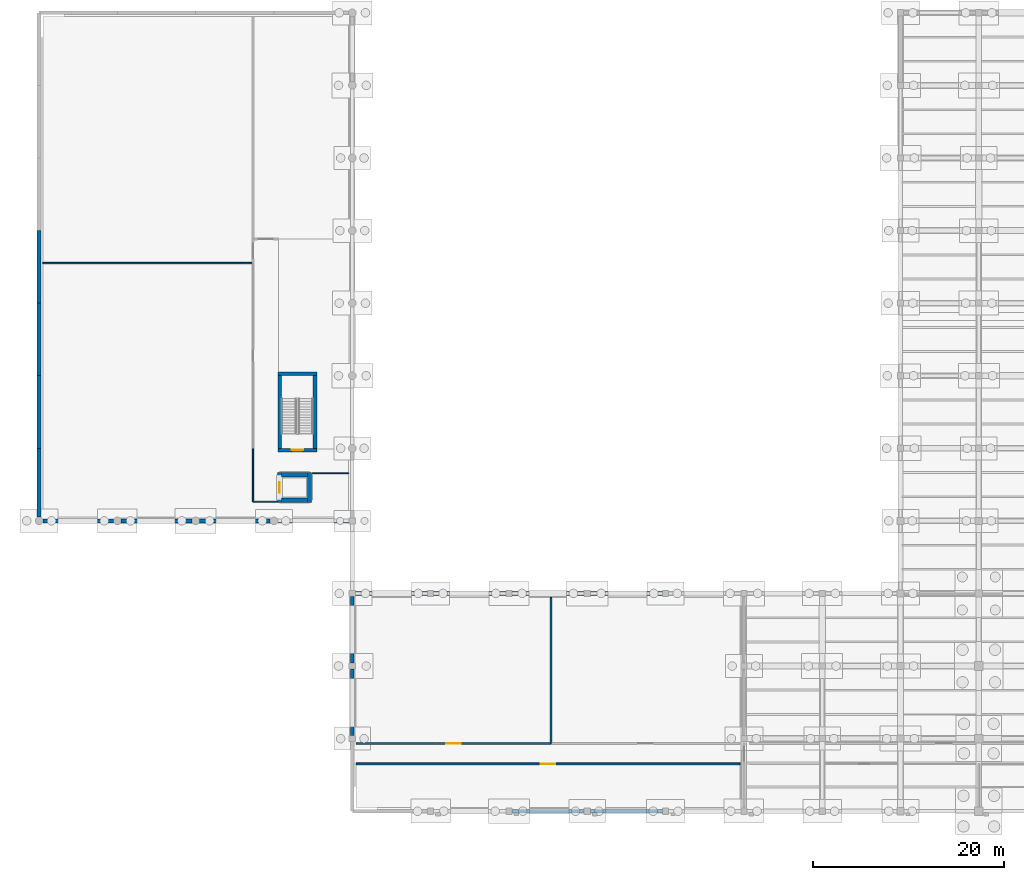
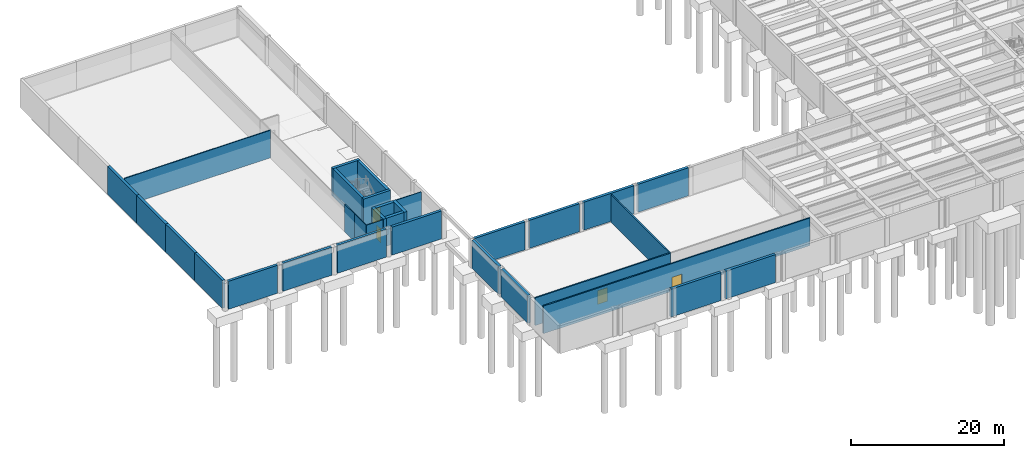
# One storey, part 16 of 29: 32 walls, 4 doors, 4 openings.
"""IFC4 building model written with IfcOpenShell, lengths in metres."""

from ifc_helpers import new_model, si_unit, direction, frame, frame_2d, origin, place, context, subcontext, project, spatial, rectangle, extrude, material, layer, layer_set, type_object, element, fill, save


model = new_model("IFC4")

# Units and contexts
model_context = context("Model", 3, precision=1e-05, world=origin(), true_north=direction((0.0, 1.0)))
body_context = subcontext(model_context, "Body", "Model", "MODEL_VIEW")
ifc_project = project(units=[si_unit("LENGTHUNIT", "METRE"), si_unit("AREAUNIT", "SQUARE_METRE"), si_unit("VOLUMEUNIT", "CUBIC_METRE"), si_unit("PLANEANGLEUNIT", "RADIAN"), si_unit("MASSUNIT", "GRAM", prefix="KILO")], contexts=[model_context])

# Site, building, storey
site_placement = place(None, origin())
site = spatial("IfcSite", under=ifc_project, at=site_placement, CompositionType="ELEMENT")
building_placement = place(site_placement, origin())
building = spatial("IfcBuilding", under=site, at=building_placement, Name="Qandaris Square Conservatory and Botanical Centre", CompositionType="ELEMENT")
storey_placement = place(building_placement, frame((0.0, 0.0, -4.800048828125)))
storey = spatial("IfcBuildingStorey", under=building, at=storey_placement, Name="B1", CompositionType="ELEMENT", Elevation=-4.800048828125)

# Walls
ifc_material_1 = material(Name="Gypsum Plasterboard", Category="gypsum")
ifc_layer_1 = layer(ifc_material_1, 0.14990234375)
ifc_layer_set_1 = layer_set([ifc_layer_1], Name="Gypsum Plasterboard")
wall_type_1 = type_object("IfcWallType", Name="Acoustic Laboratory Partition 150mm", PredefinedType="PARTITIONING", material=ifc_layer_set_1)
wall_1_placement = place(storey_placement, frame((24.800048828125, 74.0, 0.0), z_axis=(0.0, 0.0, 1.0), x_axis=(1.0, 0.0, 0.0)))
element("IfcWall", 1, at=wall_1_placement, inside=storey, type_object=wall_type_1, Name="Interior Partition IW-B1-0036", PredefinedType="PARTITIONING", context=body_context, shape_type="SweptSolid", body=[
    extrude(rectangle(XDim=22.0, YDim=0.14990234375, at=frame_2d((11.0, 0.0))), origin(), (0.0, 0.0, 1.0), 4.405029296875),
])
ifc_material_2 = material(Name="Concrete C50/60", Category="concrete")
ifc_layer_2 = layer(ifc_material_2, 0.39990234375)
ifc_layer_set_2 = layer_set([ifc_layer_2], Name="Concrete C50/60")
wall_type_2 = type_object("IfcWallType", Name="Basement Waterproof RC Retaining Wall 400mm", PredefinedType="SOLIDWALL", material=ifc_layer_set_2)
wall_2_placement = place(storey_placement, frame((57.199951171875, 24.52490234375, 0.0), z_axis=(0.0, 0.0, 1.0), x_axis=(0.0, 1.0, 0.0)))
element("IfcWall", 2, at=wall_2_placement, inside=storey, type_object=wall_type_2, Name="Basement Retaining Wall 002", PredefinedType="SOLIDWALL", context=body_context, shape_type="SweptSolid", body=[
    extrude(rectangle(XDim=6.9501953125, YDim=0.39990234375, at=frame_2d((3.47509765625, 0.0))), origin(), (0.0, 0.0, 1.0), 4.4599609375),
])
wall_3_placement = place(storey_placement, frame((57.199951171875, 32.125, 0.0), z_axis=(0.0, 0.0, 1.0), x_axis=(0.0, 1.0, 0.0)))
element("IfcWall", 3, at=wall_3_placement, inside=storey, type_object=wall_type_2, Name="Basement Retaining Wall 003", PredefinedType="SOLIDWALL", context=body_context, shape_type="SweptSolid", body=[
    extrude(rectangle(XDim=6.949951171875, YDim=0.39990234375, at=frame_2d((3.47509765625, 0.0))), origin(), (0.0, 0.0, 1.0), 4.4599609375),
])
wall_4_placement = place(storey_placement, frame((57.52490234375, 39.39990234375, 0.0), z_axis=(0.0, 0.0, 1.0), x_axis=(1.0, 0.0, 0.0)))
element("IfcWall", 4, at=wall_4_placement, inside=storey, type_object=wall_type_2, Name="Basement Retaining Wall 004", PredefinedType="SOLIDWALL", context=body_context, shape_type="SweptSolid", body=[
    extrude(rectangle(XDim=7.550048828125, YDim=0.39990234375, at=frame_2d((3.77490234375, 0.0))), origin(), (0.0, 0.0, 1.0), 4.4599609375),
])
wall_5_placement = place(storey_placement, frame((65.72509765625, 39.39990234375, 0.0), z_axis=(0.0, 0.0, 1.0), x_axis=(1.0, 0.0, 0.0)))
element("IfcWall", 5, at=wall_5_placement, inside=storey, type_object=wall_type_2, Name="Basement Retaining Wall 005", PredefinedType="SOLIDWALL", context=body_context, shape_type="SweptSolid", body=[
    extrude(rectangle(XDim=7.5498046875, YDim=0.39990234375, at=frame_2d((3.77490234375, 0.0))), origin(), (0.0, 0.0, 1.0), 4.4599609375),
])
for number, where, z_axis, x_axis, name in (
    (6, (73.925048828125, 39.39990234375, 0.0), (0.0, 0.0, 1.0), (1.0, 0.0, 0.0), "Basement Retaining Wall 006"),
    (7, (82.125, 39.39990234375, 0.0), (0.0, 0.0, 1.0), (1.0, 0.0, 0.0), "Basement Retaining Wall 007"),
    (8, (73.925048828125, 16.60009765625, 0.0), (0.0, 0.0, 1.0), (1.0, 0.0, 0.0), "Basement Retaining Wall 046"),
    (9, (82.125, 16.60009765625, 0.0), (0.0, 0.0, 1.0), (1.0, 0.0, 0.0), "Basement Retaining Wall 047"),
):
    element("IfcWall", number, at=place(storey_placement, frame(where, z_axis=z_axis, x_axis=x_axis)), inside=storey, type_object=wall_type_2, Name=name, PredefinedType="SOLIDWALL", context=body_context, shape_type="SweptSolid", body=[
        extrude(rectangle(XDim=7.550048828125, YDim=0.39990234375, at=frame_2d((3.77490234375, 0.0))), origin(), (0.0, 0.0, 1.0), 4.4599609375),
    ])
for number, where, z_axis, x_axis, name in (
    (10, (24.800048828125, 47.0, 0.0), (0.0, 0.0, 1.0), (1.0, 0.0, 0.0), "Basement Retaining Wall 060"),
    (11, (33.0, 47.0, 0.0), (0.0, 0.0, 1.0), (1.0, 0.0, 0.0), "Basement Retaining Wall 061"),
):
    element("IfcWall", number, at=place(storey_placement, frame(where, z_axis=z_axis, x_axis=x_axis)), inside=storey, type_object=wall_type_2, Name=name, PredefinedType="SOLIDWALL", context=body_context, shape_type="SweptSolid", body=[
        extrude(rectangle(XDim=7.39990234375, YDim=0.39990234375, at=frame_2d((3.699951171875, 0.0))), origin(), (0.0, 0.0, 1.0), 4.4599609375),
    ])
wall_6_placement = place(storey_placement, frame((41.199951171875, 47.0, 0.0), z_axis=(0.0, 0.0, 1.0), x_axis=(1.0, 0.0, 0.0)))
element("IfcWall", 12, at=wall_6_placement, inside=storey, type_object=wall_type_2, Name="Basement Retaining Wall 062", PredefinedType="SOLIDWALL", context=body_context, shape_type="SweptSolid", body=[
    extrude(rectangle(XDim=7.400146484375, YDim=0.39990234375, at=frame_2d((3.7001953125, 0.0))), origin(), (0.0, 0.0, 1.0), 4.4599609375),
])
wall_7_placement = place(storey_placement, frame((49.39990234375, 47.0, 0.0), z_axis=(0.0, 0.0, 1.0), x_axis=(1.0, 0.0, 0.0)))
element("IfcWall", 13, at=wall_7_placement, inside=storey, type_object=wall_type_2, Name="Basement Retaining Wall 063", PredefinedType="SOLIDWALL", context=body_context, shape_type="SweptSolid", body=[
    extrude(rectangle(XDim=7.47509765625, YDim=0.39990234375, at=frame_2d((3.737548828125, 0.0))), origin(), (0.0, 0.0, 1.0), 4.4599609375),
])
wall_8_placement = place(storey_placement, frame((24.39990234375, 47.39990234375, 0.0), z_axis=(0.0, 0.0, 1.0), x_axis=(0.0, 1.0, 0.0)))
element("IfcWall", 14, at=wall_8_placement, inside=storey, type_object=wall_type_2, Name="Basement Retaining Wall 064", PredefinedType="SOLIDWALL", context=body_context, shape_type="SweptSolid", body=[
    extrude(rectangle(XDim=7.2001953125, YDim=0.39990234375, at=frame_2d((3.60009765625, 0.0))), origin(), (0.0, 0.0, 1.0), 4.4599609375),
])
wall_9_placement = place(storey_placement, frame((24.39990234375, 54.60009765625, 0.0), z_axis=(0.0, 0.0, 1.0), x_axis=(0.0, 1.0, 0.0)))
element("IfcWall", 15, at=wall_9_placement, inside=storey, type_object=wall_type_2, Name="Basement Retaining Wall 065", PredefinedType="SOLIDWALL", context=body_context, shape_type="SweptSolid", body=[
    extrude(rectangle(XDim=7.599853515625, YDim=0.39990234375, at=frame_2d((3.7998046875, 0.0))), origin(), (0.0, 0.0, 1.0), 4.4599609375),
])
wall_10_placement = place(storey_placement, frame((24.39990234375, 62.199951171875, 0.0), z_axis=(0.0, 0.0, 1.0), x_axis=(0.0, 1.0, 0.0)))
element("IfcWall", 16, at=wall_10_placement, inside=storey, type_object=wall_type_2, Name="Basement Retaining Wall 066", PredefinedType="SOLIDWALL", context=body_context, shape_type="SweptSolid", body=[
    extrude(rectangle(XDim=7.60009765625, YDim=0.39990234375, at=frame_2d((3.800048828125, 0.0))), origin(), (0.0, 0.0, 1.0), 4.4599609375),
])
wall_11_placement = place(storey_placement, frame((24.39990234375, 69.800048828125, 0.0), z_axis=(0.0, 0.0, 1.0), x_axis=(0.0, 1.0, 0.0)))
element("IfcWall", 17, at=wall_11_placement, inside=storey, type_object=wall_type_2, Name="Basement Retaining Wall 067", PredefinedType="SOLIDWALL", context=body_context, shape_type="SweptSolid", body=[
    extrude(rectangle(XDim=7.599853515625, YDim=0.39990234375, at=frame_2d((3.7998046875, 0.0))), origin(), (0.0, 0.0, 1.0), 4.4599609375),
])

# Wall, opening, door
ifc_material_3 = material(Name="Concrete C40/50", Category="concrete")
ifc_layer_3 = layer(ifc_material_3, 0.199951171875)
ifc_layer_set_3 = layer_set([ifc_layer_3], Name="Concrete C40/50")
wall_type_3 = type_object("IfcWallType", Name="Herbarium & Plant Compartment Wall 200mm", PredefinedType="PARTITIONING", material=ifc_layer_set_3)
wall_12_placement = place(storey_placement, frame((57.60009765625, 23.699951171875, 0.0), z_axis=(0.0, 0.0, 1.0), x_axis=(1.0, 0.0, 0.0)))
wall_12 = element("IfcWall", 18, at=wall_12_placement, inside=storey, type_object=wall_type_3, Name="Interior Partition IW-B1-0038", PredefinedType="PARTITIONING", context=body_context, shape_type="SweptSolid", body=[
    extrude(rectangle(XDim=20.39990234375, YDim=0.199951171875, at=frame_2d((10.199951171875, 0.0))), origin(), (0.0, 0.0, 1.0), 4.405029296875),
])
opening_1_placement = place(wall_12_placement, frame((9.449951171875, 0.0, 0.0)))
opening_1 = element("IfcOpeningElement", 19, at=opening_1_placement, cuts=wall_12, Name="Opening D-PLT1", PredefinedType="OPENING", context=body_context, shape_type="SweptSolid", body=[
    extrude(rectangle(XDim=1.5, YDim=2.199951171875, at=frame_2d((0.75, 1.10009765625))), frame((0.0, 0.11181640625, 0.0), z_axis=(0.0, -1.0, 0.0), x_axis=(1.0, 0.0, 0.0)), (0.0, 0.0, 1.0), 0.223876953125),
])
ifc_material_4 = material(Name="Steel S355", Category="steel")
door_type_1 = type_object("IfcDoorType", Name="Plant & Riser Double Fire Door 1500x2200", OperationType="DOUBLE_DOOR_SINGLE_SWING", PredefinedType="DOOR", material=ifc_material_4)
door_1_placement = place(opening_1_placement, origin())
door_1 = element("IfcDoor", 20, at=door_1_placement, inside=storey, type_object=door_type_1, Name="DR-0015 Auditorium Understage Plenum and Traproom Door", OperationType="DOUBLE_DOOR_SINGLE_SWING", OverallHeight=2.199951171875, OverallWidth=1.5, PredefinedType="DOOR", context=body_context, shape_type="SweptSolid", body=[
    extrude(rectangle(XDim=1.5, YDim=2.199951171875, at=frame_2d((0.75, 1.10009765625))), frame((0.0, 0.02490234375, 0.0), z_axis=(0.0, -1.0, 0.0), x_axis=(1.0, 0.0, 0.0)), (0.0, 0.0, 1.0), 0.050048828125),
])
fill(opening_1, door_1)

wall_13_placement = place(storey_placement, frame((97.800048828125, 21.550048828125, 0.0), z_axis=(0.0, 0.0, 1.0), x_axis=(-1.0, 0.0, 0.0)))
wall_13 = element("IfcWall", 21, at=wall_13_placement, inside=storey, type_object=wall_type_3, Name="Interior Partition IW-B1-0040", PredefinedType="PARTITIONING", context=body_context, shape_type="SweptSolid", body=[
    extrude(rectangle(XDim=40.199951171875, YDim=0.199951171875, at=frame_2d((20.10009765625, 0.0))), origin(), (0.0, 0.0, 1.0), 4.405029296875),
])
opening_2_placement = place(wall_13_placement, frame((19.35009765625, 0.0, 0.0)))
opening_2 = element("IfcOpeningElement", 22, at=opening_2_placement, cuts=wall_13, Name="Opening D-PLT1", PredefinedType="OPENING", context=body_context, shape_type="SweptSolid", body=[
    extrude(rectangle(XDim=1.5, YDim=2.199951171875, at=frame_2d((0.75, 1.10009765625))), frame((0.0, 0.11181640625, 0.0), z_axis=(0.0, -1.0, 0.0), x_axis=(1.0, 0.0, 0.0)), (0.0, 0.0, 1.0), 0.223876953125),
])
door_2_placement = place(opening_2_placement, origin())
door_2 = element("IfcDoor", 23, at=door_2_placement, inside=storey, type_object=door_type_1, Name="DR-0017 Stage Scenery and Instrument Store Door", OperationType="DOUBLE_DOOR_SINGLE_SWING", OverallHeight=2.199951171875, OverallWidth=1.5, PredefinedType="DOOR", context=body_context, shape_type="SweptSolid", body=[
    extrude(rectangle(XDim=1.5, YDim=2.199951171875, at=frame_2d((0.75, 1.10009765625))), frame((0.0, 0.02490234375, 0.0), z_axis=(0.0, -1.0, 0.0), x_axis=(1.0, 0.0, 0.0)), (0.0, 0.0, 1.0), 0.050048828125),
])
fill(opening_2, door_2)

# Walls
wall_14_placement = place(storey_placement, frame((78.0, 39.0, 0.0), z_axis=(0.0, 0.0, 1.0), x_axis=(0.0, -1.0, 0.0)))
element("IfcWall", 24, at=wall_14_placement, inside=storey, type_object=wall_type_3, Name="Interior Partition IW-B1-0041", PredefinedType="PARTITIONING", context=body_context, shape_type="SweptSolid", body=[
    extrude(rectangle(XDim=15.300048828125, YDim=0.199951171875, at=frame_2d((7.64990234375, 0.0))), origin(), (0.0, 0.0, 1.0), 4.405029296875),
])
ifc_layer_4 = layer(ifc_material_2, 0.449951171875)
ifc_layer_set_4 = layer_set([ifc_layer_4], Name="Concrete C50/60")
wall_type_4 = type_object("IfcWallType", Name="RC Coupled Core Shear Wall 450mm", PredefinedType="SHEAR", material=ifc_layer_set_4)
for number, where, z_axis, x_axis, name in (
    (25, (49.800048828125, 49.175048828125, 0.0), (0.0, 0.0, 1.0), (1.0, 0.0, 0.0), "Lift CL1 Shaft Wall South (B1)"),
    (26, (49.800048828125, 51.824951171875, 0.0), (0.0, 0.0, 1.0), (1.0, 0.0, 0.0), "Lift CL1 Shaft Wall North (B1)"),
):
    element("IfcWall", number, at=place(storey_placement, frame(where, z_axis=z_axis, x_axis=x_axis)), inside=storey, type_object=wall_type_4, Name=name, PredefinedType="SHEAR", context=body_context, shape_type="SweptSolid", body=[
        extrude(rectangle(XDim=2.699951171875, YDim=0.449951171875, at=frame_2d((1.35009765625, 0.0))), origin(), (0.0, 0.0, 1.0), 4.4599609375),
    ])

# Wall, opening, door
wall_15_placement = place(storey_placement, frame((49.574951171875, 48.949951171875, 0.0), z_axis=(0.0, 0.0, 1.0), x_axis=(0.0, 1.0, 0.0)))
wall_15 = element("IfcWall", 27, at=wall_15_placement, inside=storey, type_object=wall_type_4, Name="Lift CL1 Shaft Wall West (B1)", PredefinedType="SHEAR", context=body_context, shape_type="SweptSolid", body=[
    extrude(rectangle(XDim=3.10009765625, YDim=0.449951171875, at=frame_2d((1.550048828125, 0.0))), origin(), (0.0, 0.0, 1.0), 4.4599609375),
])
opening_3_placement = place(wall_15_placement, frame((1.0, 0.0, 0.0)))
opening_3 = element("IfcOpeningElement", 28, at=opening_3_placement, cuts=wall_15, Name="Opening LD-PAX", PredefinedType="OPENING", context=body_context, shape_type="SweptSolid", body=[
    extrude(rectangle(XDim=1.10009765625, YDim=2.199951171875, at=frame_2d((0.550048828125, 1.10009765625))), frame((0.0, 0.23681640625, 0.0), z_axis=(0.0, -1.0, 0.0), x_axis=(1.0, 0.0, 0.0)), (0.0, 0.0, 1.0), 0.473876953125),
])
ifc_material_5 = material(Name="Anodised Aluminium", Category="aluminium")
door_type_2 = type_object("IfcDoorType", Name="Passenger Lift Sliding Landing Door 1100x2200", OperationType="DOUBLE_DOOR_SLIDING", PredefinedType="DOOR", material=ifc_material_5)
door_3_placement = place(opening_3_placement, origin())
door_3 = element("IfcDoor", 29, at=door_3_placement, inside=storey, type_object=door_type_2, Name="DR-0029 Lift CL1 Landing Door (B1)", OperationType="DOUBLE_DOOR_SLIDING", OverallHeight=2.199951171875, OverallWidth=1.10009765625, PredefinedType="DOOR", context=body_context, shape_type="SweptSolid", body=[
    extrude(rectangle(XDim=1.10009765625, YDim=2.199951171875, at=frame_2d((0.550048828125, 1.10009765625))), frame((0.0, 0.02490234375, 0.0), z_axis=(0.0, -1.0, 0.0), x_axis=(1.0, 0.0, 0.0)), (0.0, 0.0, 1.0), 0.050048828125),
])
fill(opening_3, door_3)

# Wall
wall_16_placement = place(storey_placement, frame((52.72509765625, 48.949951171875, 0.0), z_axis=(0.0, 0.0, 1.0), x_axis=(0.0, 1.0, 0.0)))
element("IfcWall", 30, at=wall_16_placement, inside=storey, type_object=wall_type_4, Name="Lift CL1 Shaft Wall East (B1)", PredefinedType="SHEAR", context=body_context, shape_type="SweptSolid", body=[
    extrude(rectangle(XDim=3.10009765625, YDim=0.449951171875, at=frame_2d((1.550048828125, 0.0))), origin(), (0.0, 0.0, 1.0), 4.4599609375),
])

# Wall, opening, door
ifc_layer_5 = layer(ifc_material_2, 0.39990234375)
ifc_layer_set_5 = layer_set([ifc_layer_5], Name="Concrete C50/60")
wall_type_5 = type_object("IfcWallType", Name="RC Stair Core Shear Wall 400mm", PredefinedType="SHEAR", material=ifc_layer_set_5)
wall_17_placement = place(storey_placement, frame((49.39990234375, 54.39990234375, 0.0), z_axis=(0.0, 0.0, 1.0), x_axis=(1.0, 0.0, 0.0)))
wall_17 = element("IfcWall", 31, at=wall_17_placement, inside=storey, type_object=wall_type_5, Name="ST-5 Core Shear Wall South (B1)", PredefinedType="SHEAR", context=body_context, shape_type="SweptSolid", body=[
    extrude(rectangle(XDim=4.10009765625, YDim=0.39990234375, at=frame_2d((2.050048828125, 0.0))), origin(), (0.0, 0.0, 1.0), 4.4599609375),
])
opening_4_placement = place(wall_17_placement, frame((1.449951171875, 0.0, 0.0)))
opening_4 = element("IfcOpeningElement", 32, at=opening_4_placement, cuts=wall_17, Name="Opening D-ST1", PredefinedType="OPENING", context=body_context, shape_type="SweptSolid", body=[
    extrude(rectangle(XDim=1.199951171875, YDim=2.199951171875, at=frame_2d((0.60009765625, 1.10009765625))), frame((0.0, 0.2119140625, 0.0), z_axis=(0.0, -1.0, 0.0), x_axis=(1.0, 0.0, 0.0)), (0.0, 0.0, 1.0), 0.423828125),
])
door_type_3 = type_object("IfcDoorType", Name="Exit Stair Core Fire Door 1200x2200", OperationType="NOTDEFINED", PredefinedType="DOOR", material=ifc_material_4)
door_4_placement = place(opening_4_placement, origin())
door_4 = element("IfcDoor", 33, at=door_4_placement, inside=storey, type_object=door_type_3, Name="DR-0022 ST-5 Stair Core Door (B1)", OperationType="SINGLE_SWING_RIGHT", OverallHeight=2.199951171875, OverallWidth=1.199951171875, PredefinedType="DOOR", context=body_context, shape_type="SweptSolid", body=[
    extrude(rectangle(XDim=1.199951171875, YDim=2.199951171875, at=frame_2d((0.60009765625, 1.10009765625))), frame((0.0, 0.02490234375, 0.0), z_axis=(0.0, -1.0, 0.0), x_axis=(1.0, 0.0, 0.0)), (0.0, 0.0, 1.0), 0.050048828125),
])
fill(opening_4, door_4)

# Walls
wall_18_placement = place(storey_placement, frame((49.39990234375, 62.39990234375, 0.0), z_axis=(0.0, 0.0, 1.0), x_axis=(1.0, 0.0, 0.0)))
element("IfcWall", 34, at=wall_18_placement, inside=storey, type_object=wall_type_5, Name="ST-5 Core Shear Wall North (B1)", PredefinedType="SHEAR", context=body_context, shape_type="SweptSolid", body=[
    extrude(rectangle(XDim=4.10009765625, YDim=0.39990234375, at=frame_2d((2.050048828125, 0.0))), origin(), (0.0, 0.0, 1.0), 4.4599609375),
])
for number, where, z_axis, x_axis, name in (
    (35, (49.60009765625, 54.60009765625, 0.0), (0.0, 0.0, 1.0), (0.0, 1.0, 0.0), "ST-5 Core Shear Wall West (B1)"),
    (36, (53.300048828125, 54.60009765625, 0.0), (0.0, 0.0, 1.0), (0.0, 1.0, 0.0), "ST-5 Core Shear Wall East (B1)"),
):
    element("IfcWall", number, at=place(storey_placement, frame(where, z_axis=z_axis, x_axis=x_axis)), inside=storey, type_object=wall_type_5, Name=name, PredefinedType="SHEAR", context=body_context, shape_type="SweptSolid", body=[
        extrude(rectangle(XDim=7.599853515625, YDim=0.39990234375, at=frame_2d((3.7998046875, 0.0))), origin(), (0.0, 0.0, 1.0), 4.4599609375),
    ])
ifc_layer_6 = layer(ifc_material_1, 0.1201171875)
ifc_layer_set_6 = layer_set([ifc_layer_6], Name="Gypsum Plasterboard")
wall_type_6 = type_object("IfcWallType", Name="Standard Research Partition 120mm", PredefinedType="PARTITIONING", material=ifc_layer_set_6)
wall_19_placement = place(storey_placement, frame((46.800048828125, 49.0, 0.0), z_axis=(0.0, 0.0, 1.0), x_axis=(0.0, 1.0, 0.0)))
element("IfcWall", 37, at=wall_19_placement, inside=storey, type_object=wall_type_6, Name="Interior Partition IW-B1-0029", PredefinedType="PARTITIONING", context=body_context, shape_type="SweptSolid", body=[
    extrude(rectangle(XDim=3.0, YDim=0.1201171875, at=frame_2d((1.5, 0.0))), origin(), (0.0, 0.0, 1.0), 4.405029296875),
])
wall_20_placement = place(storey_placement, frame((46.800048828125, 52.0, 0.0), z_axis=(0.0, 0.0, 1.0), x_axis=(0.0, 1.0, 0.0)))
element("IfcWall", 38, at=wall_20_placement, inside=storey, type_object=wall_type_6, Name="Interior Partition IW-B1-0030", PredefinedType="PARTITIONING", context=body_context, shape_type="SweptSolid", body=[
    extrude(rectangle(XDim=2.550048828125, YDim=0.1201171875, at=frame_2d((1.27490234375, 0.0))), origin(), (0.0, 0.0, 1.0), 4.405029296875),
])
wall_21_placement = place(storey_placement, frame((56.800048828125, 52.0, 0.0), z_axis=(0.0, 0.0, 1.0), x_axis=(-1.0, 0.0, 0.0)))
element("IfcWall", 39, at=wall_21_placement, inside=storey, type_object=wall_type_6, Name="Interior Partition IW-B1-0032", PredefinedType="PARTITIONING", context=body_context, shape_type="SweptSolid", body=[
    extrude(rectangle(XDim=3.820068359375, YDim=0.1201171875, at=frame_2d((1.91015625, 0.0))), origin(), (0.0, 0.0, 1.0), 4.405029296875),
])
wall_22_placement = place(storey_placement, frame((49.320068359375, 49.0, 0.0), z_axis=(0.0, 0.0, 1.0), x_axis=(-1.0, 0.0, 0.0)))
element("IfcWall", 40, at=wall_22_placement, inside=storey, type_object=wall_type_6, Name="Interior Partition IW-B1-0033", PredefinedType="PARTITIONING", context=body_context, shape_type="SweptSolid", body=[
    extrude(rectangle(XDim=2.52001953125, YDim=0.1201171875, at=frame_2d((1.260009765625, 0.0))), origin(), (0.0, 0.0, 1.0), 4.405029296875),
])

save(model, "model.ifc")
